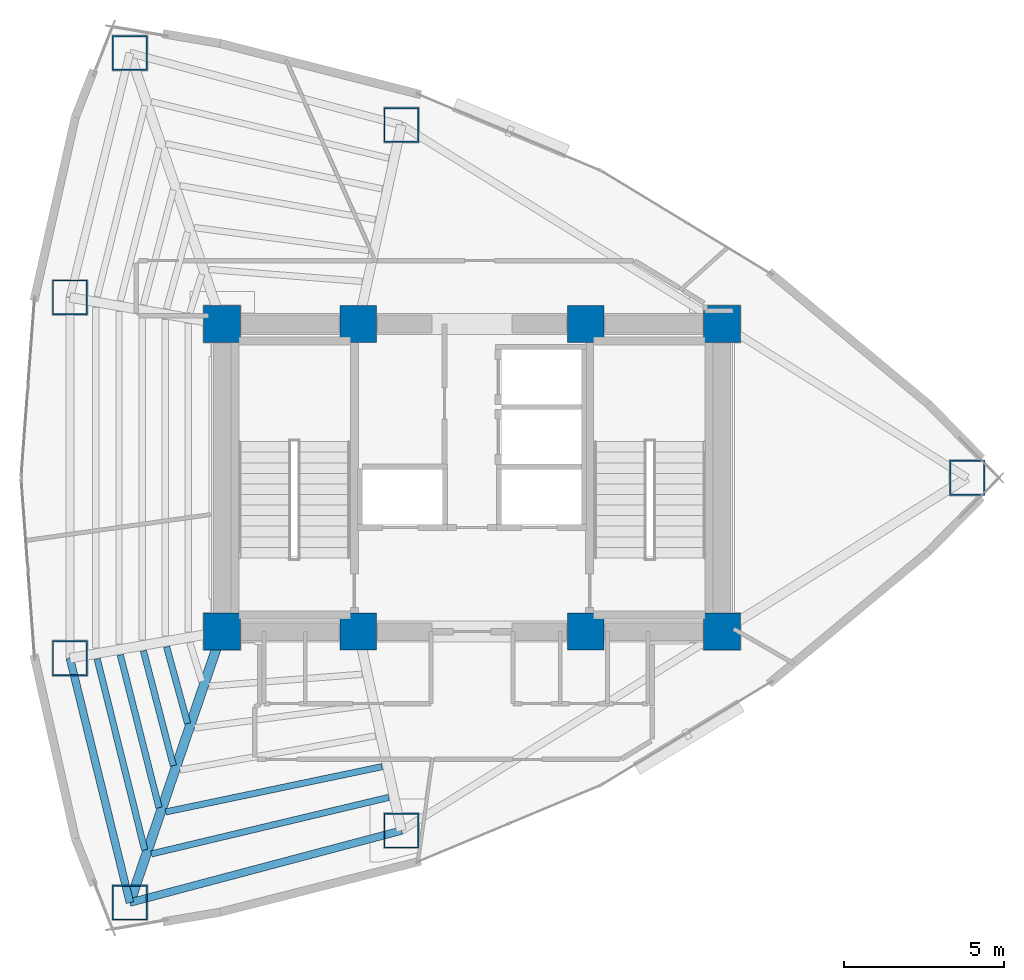
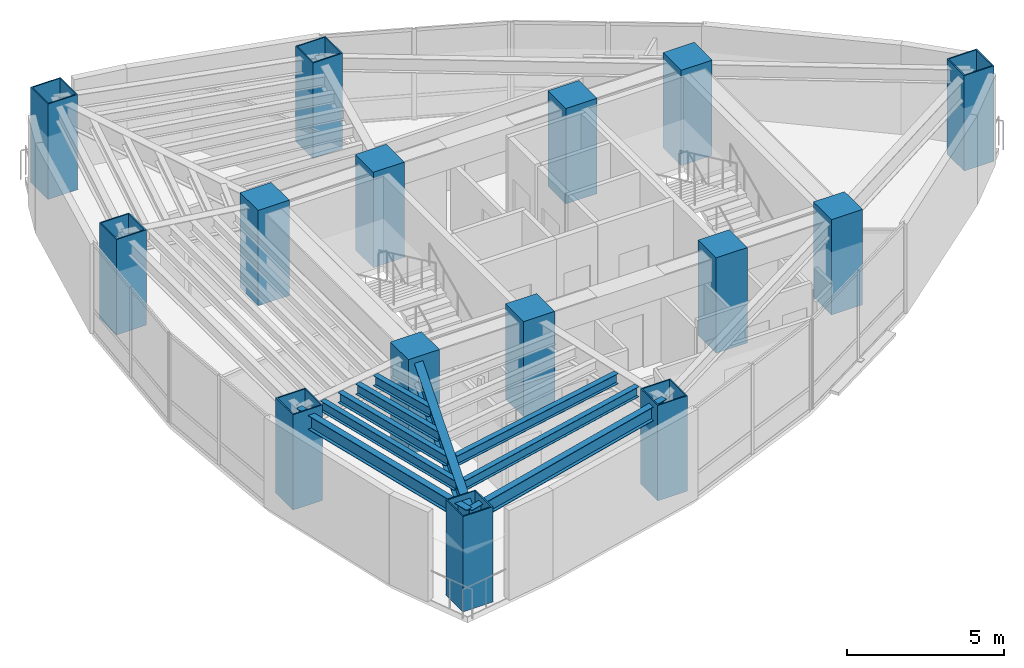
# One storey, part 1 of 15: 15 columns, 9 beams.
"""IFC4 building model written with IfcOpenShell, lengths in metres."""

from ifc_helpers import new_model, si_unit, direction, frame, origin, origin_2d, place, context, subcontext, project, spatial, rectangle, hollow_rectangle, i_section, extrude, material, material_profile, profile_set, type_object, element, save


model = new_model("IFC4")

# Units and contexts
model_context = context("Model", 3, precision=1e-05, world=origin(), true_north=direction((0.0, 1.0)))
body_context = subcontext(model_context, "Body", "Model", "MODEL_VIEW")
ifc_project = project(units=[si_unit("LENGTHUNIT", "METRE"), si_unit("AREAUNIT", "SQUARE_METRE"), si_unit("VOLUMEUNIT", "CUBIC_METRE"), si_unit("PLANEANGLEUNIT", "RADIAN"), si_unit("MASSUNIT", "GRAM", prefix="KILO")], contexts=[model_context])

# Site, building, storey
site_placement = place(None, origin())
site = spatial("IfcSite", under=ifc_project, at=site_placement, CompositionType="ELEMENT")
building_placement = place(site_placement, origin())
building = spatial("IfcBuilding", under=site, at=building_placement, Name="Menara Vayukalpa", CompositionType="ELEMENT")
storey_placement = place(building_placement, frame((0.0, 0.0, 141.179931640625)))
storey = spatial("IfcBuildingStorey", under=building, at=storey_placement, Name="L35", CompositionType="ELEMENT", Elevation=141.179931640625)

# Columns
ifc_material_1 = material(Name="Concrete C80/95", Category="concrete")
ifc_material_profile_1 = material_profile(ifc_material_1, rectangle(XDim=1.14990234375, YDim=1.14990234375, at=origin_2d()), Name="RC 1150x1150")
ifc_profile_set_1 = profile_set([ifc_material_profile_1], Name="Concrete C80/95")
column_type_1 = type_object("IfcColumnType", Name="COL-CC1", PredefinedType="COLUMN", material=ifc_profile_set_1)
for number, where, z_axis, x_axis, name in (
    (1, (17.800048828125, 17.199951171875, 0.0), (0.0, 0.0, 1.0), (1.0, 0.0, 0.0), "L35 Core Pilaster Column CC1"),
    (2, (22.050048828125, 17.199951171875, 0.0), (0.0, 0.0, 1.0), (1.0, 0.0, 0.0), "L35 Core Pilaster Column CC2"),
    (3, (29.14990234375, 17.199951171875, 0.0), (0.0, 0.0, 1.0), (1.0, 0.0, 0.0), "L35 Core Pilaster Column CC3"),
    (4, (33.39990234375, 17.199951171875, 0.0), (0.0, 0.0, 1.0), (1.0, 0.0, 0.0), "L35 Core Pilaster Column CC4"),
    (5, (17.800048828125, 26.800048828125, 0.0), (0.0, 0.0, 1.0), (1.0, 0.0, 0.0), "L35 Core Pilaster Column CC5"),
    (6, (22.050048828125, 26.800048828125, 0.0), (0.0, 0.0, 1.0), (1.0, 0.0, 0.0), "L35 Core Pilaster Column CC6"),
    (7, (29.14990234375, 26.800048828125, 0.0), (0.0, 0.0, 1.0), (1.0, 0.0, 0.0), "L35 Core Pilaster Column CC7"),
    (8, (33.39990234375, 26.800048828125, 0.0), (0.0, 0.0, 1.0), (1.0, 0.0, 0.0), "L35 Core Pilaster Column CC8"),
):
    element("IfcColumn", number, at=place(storey_placement, frame(where, z_axis=z_axis, x_axis=x_axis)), inside=storey, type_object=column_type_1, Name=name, PredefinedType="COLUMN", context=body_context, shape_type="SweptSolid", body=[
        extrude(rectangle(XDim=1.14990234375, YDim=1.14990234375, at=origin_2d()), origin(), (0.0, 0.0, 1.0), 3.719970703125),
    ])
ifc_material_2 = material(Name="Steel S460", Category="steel")
ifc_material_profile_2 = material_profile(ifc_material_2, hollow_rectangle(XDim=1.10009765625, YDim=1.10009765625, WallThickness=0.044921875, at=origin_2d()), Name="BOX 1100x1100x45")
ifc_profile_set_2 = profile_set([ifc_material_profile_2], Name="Steel S460")
column_type_2 = type_object("IfcColumnType", Name="COL-MC3", PredefinedType="COLUMN", material=ifc_profile_set_2)
for number, where, z_axis, x_axis, name in (
    (9, (41.05908203125, 22.0, 0.0), (0.0, 0.0, 1.0), (1.0, 0.0, 0.0), "L35 Perimeter Mega Column P01"),
    (10, (23.39697265625, 33.011962890625, 0.0), (0.0, 0.0, 1.0), (1.0, 0.0, 0.0), "L35 Perimeter Mega Column P03"),
    (11, (14.92041015625, 35.260498046875, 0.0), (0.0, 0.0, 1.0), (1.0, 0.0, 0.0), "L35 Perimeter Mega Column P04"),
    (12, (13.049072265625, 27.6318359375, 0.0), (0.0, 0.0, 1.0), (1.0, 0.0, 0.0), "L35 Perimeter Mega Column P05"),
    (13, (13.049072265625, 16.3681640625, 0.0), (0.0, 0.0, 1.0), (1.0, 0.0, 0.0), "L35 Perimeter Mega Column P06"),
    (14, (14.92041015625, 8.739501953125, 0.0), (0.0, 0.0, 1.0), (1.0, 0.0, 0.0), "L35 Perimeter Mega Column P07"),
    (15, (23.39697265625, 10.988037109375, 0.0), (0.0, 0.0, 1.0), (1.0, 0.0, 0.0), "L35 Perimeter Mega Column P08"),
):
    element("IfcColumn", number, at=place(storey_placement, frame(where, z_axis=z_axis, x_axis=x_axis)), inside=storey, type_object=column_type_2, Name=name, PredefinedType="COLUMN", context=body_context, shape_type="SweptSolid", body=[
        extrude(hollow_rectangle(XDim=1.10009765625, YDim=1.10009765625, WallThickness=0.044921875, at=origin_2d()), origin(), (0.0, 0.0, 1.0), 3.719970703125),
    ])

# Beams
ifc_material_3 = material(Name="Steel S355", Category="steel")
ifc_material_profile_3 = material_profile(ifc_material_3, i_section(OverallWidth=0.300048828125, OverallDepth=0.800048828125, WebThickness=0.013916015625, FlangeThickness=0.02587890625, at=origin_2d()), Name="WF 800x300x14x26")
ifc_profile_set_3 = profile_set([ifc_material_profile_3], Name="Steel S355")
beam_type_1 = type_object("IfcBeamType", Name="BM-PG3", PredefinedType="BEAM", material=ifc_profile_set_3)
beam_1_placement = place(storey_placement, frame((17.719482421875, 16.96337890625, 3.10009765625), z_axis=(-0.322207533072, -0.946669058136, 0.0), x_axis=(0.946669058136, -0.322207533072, 0.0)))
element("IfcBeam", 16, at=beam_1_placement, inside=storey, type_object=beam_type_1, Name="L35 Primary Radial Girder RG07", PredefinedType="BEAM", context=body_context, shape_type="SweptSolid", body=[
    extrude(i_section(OverallWidth=0.300048828125, OverallDepth=0.800048828125, WebThickness=0.013916015625, FlangeThickness=0.02587890625, at=origin_2d()), origin(), (0.0, 0.0, 1.0), 8.687255859375),
])
ifc_material_4 = material(Name="Steel S355", Category="steel")
ifc_material_profile_4 = material_profile(ifc_material_4, i_section(OverallWidth=0.199951171875, OverallDepth=0.39990234375, WebThickness=0.008056640625, FlangeThickness=0.012939453125, at=origin_2d()), Name="WF 400x200x8x13")
ifc_profile_set_4 = profile_set([ifc_material_profile_4], Name="Steel S355")
beam_type_2 = type_object("IfcBeamType", Name="BM-SJ2", PredefinedType="JOIST", material=ifc_profile_set_4)
beam_2_placement = place(storey_placement, frame((16.067138671875, 16.724853515625, 3.300048828125), z_axis=(0.264232640077, -0.964458973683, 0.0), x_axis=(0.964458973683, 0.264232640077, 0.0)))
element("IfcBeam", 17, at=beam_2_placement, inside=storey, type_object=beam_type_2, Name="L35 Secondary Floor Joist SJ06-2", PredefinedType="JOIST", context=body_context, shape_type="SweptSolid", body=[
    extrude(i_section(OverallWidth=0.199951171875, OverallDepth=0.39990234375, WebThickness=0.008056640625, FlangeThickness=0.012939453125, at=origin_2d()), origin(), (0.0, 0.0, 1.0), 2.481689453125),
])
beam_3_placement = place(storey_placement, frame((15.34423828125, 16.597900390625, 3.300048828125), z_axis=(0.252021814079, -0.967721553562, 0.0), x_axis=(0.967721553562, 0.252021814079, 0.0)))
element("IfcBeam", 18, at=beam_3_placement, inside=storey, type_object=beam_type_2, Name="L35 Secondary Floor Joist SJ06-3", PredefinedType="JOIST", context=body_context, shape_type="SweptSolid", body=[
    extrude(i_section(OverallWidth=0.199951171875, OverallDepth=0.39990234375, WebThickness=0.008056640625, FlangeThickness=0.012939453125, at=origin_2d()), origin(), (0.0, 0.0, 1.0), 3.701416015625),
])
beam_4_placement = place(storey_placement, frame((14.622314453125, 16.4716796875, 3.300048828125), z_axis=(0.245440749471, -0.969411593958, 0.0), x_axis=(0.969411593958, 0.245440749471, 0.0)))
element("IfcBeam", 19, at=beam_4_placement, inside=storey, type_object=beam_type_2, Name="L35 Secondary Floor Joist SJ06-4", PredefinedType="JOIST", context=body_context, shape_type="SweptSolid", body=[
    extrude(i_section(OverallWidth=0.199951171875, OverallDepth=0.39990234375, WebThickness=0.008056640625, FlangeThickness=0.012939453125, at=origin_2d()), origin(), (0.0, 0.0, 1.0), 4.921875),
])
beam_5_placement = place(storey_placement, frame((13.90087890625, 16.34521484375, 3.300048828125), z_axis=(0.241356999927, -0.970436395951, 0.0), x_axis=(0.970436395951, 0.241356999927, 0.0)))
element("IfcBeam", 20, at=beam_5_placement, inside=storey, type_object=beam_type_2, Name="L35 Secondary Floor Joist SJ06-5", PredefinedType="JOIST", context=body_context, shape_type="SweptSolid", body=[
    extrude(i_section(OverallWidth=0.199951171875, OverallDepth=0.39990234375, WebThickness=0.008056640625, FlangeThickness=0.012939453125, at=origin_2d()), origin(), (0.0, 0.0, 1.0), 6.14208984375),
])
beam_6_placement = place(storey_placement, frame((16.03857421875, 11.5703125, 3.300048828125), z_axis=(0.978829393328, 0.204677841395, 0.0), x_axis=(-0.204677841395, 0.978829393328, 0.0)))
element("IfcBeam", 21, at=beam_6_placement, inside=storey, type_object=beam_type_2, Name="L35 Secondary Floor Joist SJ07-4", PredefinedType="JOIST", context=body_context, shape_type="SweptSolid", body=[
    extrude(i_section(OverallWidth=0.199951171875, OverallDepth=0.39990234375, WebThickness=0.008056640625, FlangeThickness=0.012939453125, at=origin_2d()), origin(), (0.0, 0.0, 1.0), 6.89794921875),
])
beam_7_placement = place(storey_placement, frame((15.589599609375, 10.25927734375, 3.300048828125), z_axis=(0.972824097487, 0.231545406668, 0.0), x_axis=(-0.231545406668, 0.972824097487, 0.0)))
element("IfcBeam", 22, at=beam_7_placement, inside=storey, type_object=beam_type_2, Name="L35 Secondary Floor Joist SJ07-5", PredefinedType="JOIST", context=body_context, shape_type="SweptSolid", body=[
    extrude(i_section(OverallWidth=0.199951171875, OverallDepth=0.39990234375, WebThickness=0.008056640625, FlangeThickness=0.012939453125, at=origin_2d()), origin(), (0.0, 0.0, 1.0), 7.615966796875),
])
ifc_material_5 = material(Name="Steel S355", Category="steel")
ifc_material_profile_5 = material_profile(ifc_material_5, i_section(OverallWidth=0.239990234375, OverallDepth=0.550048828125, WebThickness=0.010986328125, FlangeThickness=0.01904296875, at=origin_2d()), Name="WF 550x240x11x19")
ifc_profile_set_5 = profile_set([ifc_material_profile_5], Name="Steel S355")
beam_type_3 = type_object("IfcBeamType", Name="BM-SP2", PredefinedType="SPANDREL", material=ifc_profile_set_5)
beam_8_placement = place(storey_placement, frame((13.049072265625, 16.3681640625, 3.22509765625), z_axis=(0.238240335346, -0.971206230733, 0.0), x_axis=(0.971206230733, 0.238240335346, 0.0)))
element("IfcBeam", 23, at=beam_8_placement, inside=storey, type_object=beam_type_3, Name="L35 Perimeter Spandrel Beam SP06", PredefinedType="SPANDREL", context=body_context, shape_type="SweptSolid", body=[
    extrude(i_section(OverallWidth=0.239990234375, OverallDepth=0.550048828125, WebThickness=0.010986328125, FlangeThickness=0.01904296875, at=origin_2d()), origin(), (0.0, 0.0, 1.0), 7.854736328125),
])
beam_9_placement = place(storey_placement, frame((14.92041015625, 8.739501953125, 3.22509765625), z_axis=(0.96657141455, 0.256397544009, 0.0), x_axis=(-0.256397544009, 0.96657141455, 0.0)))
element("IfcBeam", 24, at=beam_9_placement, inside=storey, type_object=beam_type_3, Name="L35 Perimeter Spandrel Beam SP07", PredefinedType="SPANDREL", context=body_context, shape_type="SweptSolid", body=[
    extrude(i_section(OverallWidth=0.239990234375, OverallDepth=0.550048828125, WebThickness=0.010986328125, FlangeThickness=0.01904296875, at=origin_2d()), origin(), (0.0, 0.0, 1.0), 8.769775390625),
])

save(model, "model.ifc")
